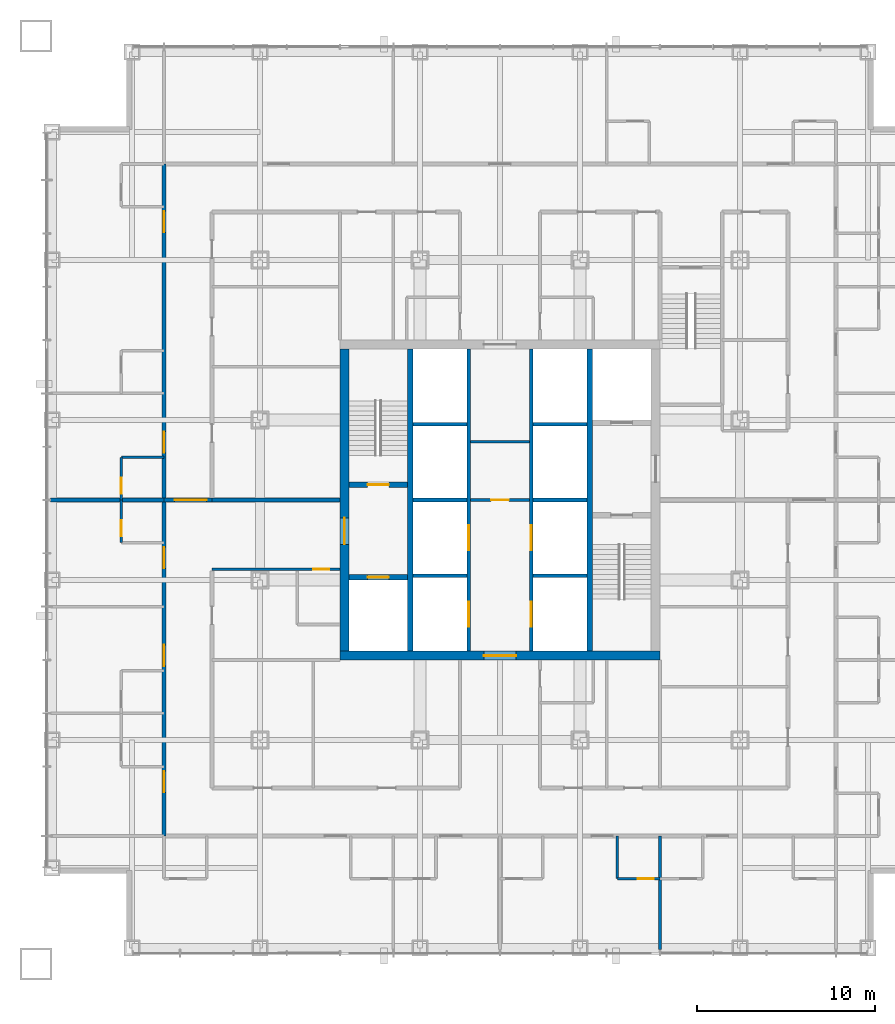
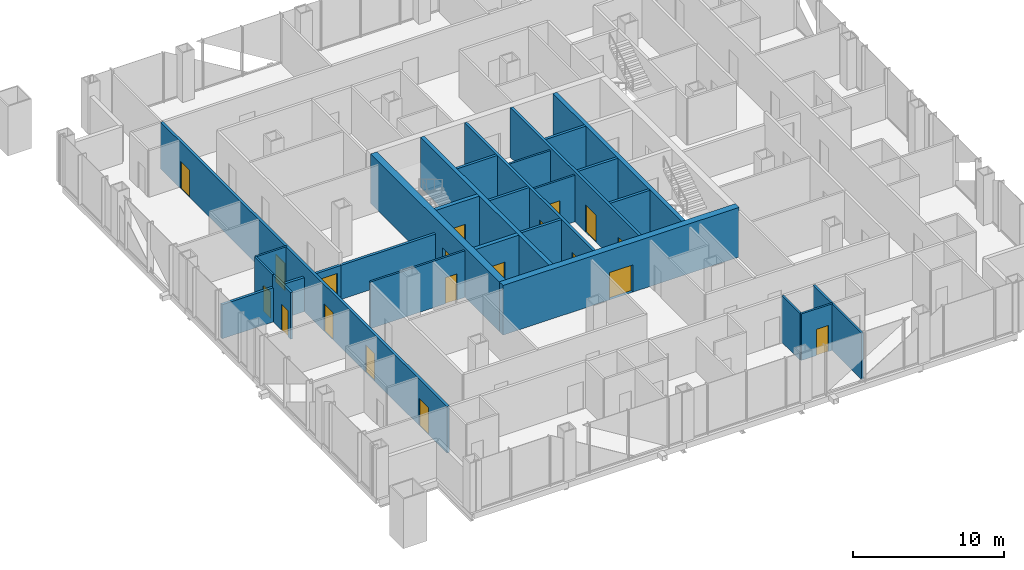
# One storey, part 8 of 17: 27 walls, 19 doors, 19 openings.
"""IFC4 building model written with IfcOpenShell, lengths in metres."""

from ifc_helpers import new_model, si_unit, direction, frame, frame_2d, origin, place, context, subcontext, project, spatial, rectangle, extrude, material, layer, layer_set, type_object, element, fill, save


model = new_model("IFC4")

# Units and contexts
model_context = context("Model", 3, precision=1e-05, world=origin(), true_north=direction((0.0, 1.0)))
body_context = subcontext(model_context, "Body", "Model", "MODEL_VIEW")
ifc_project = project(units=[si_unit("LENGTHUNIT", "METRE"), si_unit("AREAUNIT", "SQUARE_METRE"), si_unit("VOLUMEUNIT", "CUBIC_METRE"), si_unit("PLANEANGLEUNIT", "RADIAN"), si_unit("MASSUNIT", "GRAM", prefix="KILO")], contexts=[model_context])

# Site, building, storey
site_placement = place(None, origin())
site = spatial("IfcSite", under=ifc_project, at=site_placement, CompositionType="ELEMENT")
building_placement = place(site_placement, origin())
building = spatial("IfcBuilding", under=site, at=building_placement, Name="Malebo Sky Hospital", CompositionType="ELEMENT")
storey_placement = place(building_placement, frame((0.0, 0.0, 83.0)))
storey = spatial("IfcBuildingStorey", under=building, at=storey_placement, Name="L19", CompositionType="ELEMENT", Elevation=83.0)

# Wall, openings, doors
ifc_material_1 = material(Name="Concrete C80/95", Category="concrete")
ifc_layer_1 = layer(ifc_material_1, 0.199951171875)
ifc_layer_set_1 = layer_set([ifc_layer_1], Name="CORE INNER WALL 200")
wall_type_1 = type_object("IfcWallType", Name="CORE INNER WALL 200", PredefinedType="SHEAR", material=ifc_layer_set_1)
wall_1_placement = place(storey_placement, frame((58.25, 53.5, 0.0), z_axis=(0.0, 0.0, 1.0), x_axis=(0.0, 1.0, 0.0)))
wall_1 = element("IfcWall", 1, at=wall_1_placement, inside=storey, type_object=wall_type_1, Name="Core wall LW L19", PredefinedType="SHEAR", context=body_context, shape_type="SweptSolid", body=[
    extrude(rectangle(XDim=17.0, YDim=0.199951171875, at=frame_2d((8.5, 0.0))), origin(), (0.0, 0.0, 1.0), 4.0),
])
opening_1_placement = place(wall_1_placement, frame((1.375, 0.0, 0.0)))
opening_1 = element("IfcOpeningElement", 2, at=opening_1_placement, cuts=wall_1, Name="Opening LD1", PredefinedType="OPENING", context=body_context, shape_type="SweptSolid", body=[
    extrude(rectangle(XDim=1.39990234375, YDim=2.199951171875, at=frame_2d((0.699951171875, 1.10009765625))), frame((0.0, 0.10986328125, 0.0), z_axis=(0.0, -1.0, 0.0), x_axis=(1.0, 0.0, 0.0)), (0.0, 0.0, 1.0), 0.219970703125),
])
opening_2_placement = place(wall_1_placement, frame((5.675048828125, 0.0, 0.0)))
opening_2 = element("IfcOpeningElement", 3, at=opening_2_placement, cuts=wall_1, Name="Opening LD1", PredefinedType="OPENING", context=body_context, shape_type="SweptSolid", body=[
    extrude(rectangle(XDim=1.39990234375, YDim=2.199951171875, at=frame_2d((0.699951171875, 1.10009765625))), frame((0.0, 0.10986328125, 0.0), z_axis=(0.0, -1.0, 0.0), x_axis=(1.0, 0.0, 0.0)), (0.0, 0.0, 1.0), 0.219970703125),
])
ifc_material_2 = material(Name="Stainless steel sliding landing door", Category="steel")
door_type_1 = type_object("IfcDoorType", Name="LIFT LANDING DOOR 1400", OperationType="SLIDING_TO_LEFT", PredefinedType="DOOR", material=ifc_material_2)
door_1_placement = place(opening_1_placement, origin())
door_1 = element("IfcDoor", 4, at=door_1_placement, inside=storey, type_object=door_type_1, Name="Lift W1 landing door", OperationType="SLIDING_TO_LEFT", OverallHeight=2.199951171875, OverallWidth=1.39990234375, PredefinedType="DOOR", context=body_context, shape_type="SweptSolid", body=[
    extrude(rectangle(XDim=1.39990234375, YDim=2.199951171875, at=frame_2d((0.699951171875, 1.10009765625))), frame((0.0, 0.02490234375, 0.0), z_axis=(0.0, -1.0, 0.0), x_axis=(1.0, 0.0, 0.0)), (0.0, 0.0, 1.0), 0.050048828125),
])
fill(opening_1, door_1)
door_2_placement = place(opening_2_placement, origin())
door_2 = element("IfcDoor", 5, at=door_2_placement, inside=storey, type_object=door_type_1, Name="Lift W2 landing door", OperationType="SLIDING_TO_LEFT", OverallHeight=2.199951171875, OverallWidth=1.39990234375, PredefinedType="DOOR", context=body_context, shape_type="SweptSolid", body=[
    extrude(rectangle(XDim=1.39990234375, YDim=2.199951171875, at=frame_2d((0.699951171875, 1.10009765625))), frame((0.0, 0.02490234375, 0.0), z_axis=(0.0, -1.0, 0.0), x_axis=(1.0, 0.0, 0.0)), (0.0, 0.0, 1.0), 0.050048828125),
])
fill(opening_2, door_2)

wall_2_placement = place(storey_placement, frame((61.75, 53.5, 0.0), z_axis=(0.0, 0.0, 1.0), x_axis=(0.0, 1.0, 0.0)))
wall_2 = element("IfcWall", 6, at=wall_2_placement, inside=storey, type_object=wall_type_1, Name="Core wall LE L19", PredefinedType="SHEAR", context=body_context, shape_type="SweptSolid", body=[
    extrude(rectangle(XDim=17.0, YDim=0.199951171875, at=frame_2d((8.5, 0.0))), origin(), (0.0, 0.0, 1.0), 4.0),
])
opening_3_placement = place(wall_2_placement, frame((1.375, 0.0, 0.0)))
opening_3 = element("IfcOpeningElement", 7, at=opening_3_placement, cuts=wall_2, Name="Opening LD1", PredefinedType="OPENING", context=body_context, shape_type="SweptSolid", body=[
    extrude(rectangle(XDim=1.39990234375, YDim=2.199951171875, at=frame_2d((0.699951171875, 1.10009765625))), frame((0.0, 0.10986328125, 0.0), z_axis=(0.0, -1.0, 0.0), x_axis=(1.0, 0.0, 0.0)), (0.0, 0.0, 1.0), 0.219970703125),
])
opening_4_placement = place(wall_2_placement, frame((5.675048828125, 0.0, 0.0)))
opening_4 = element("IfcOpeningElement", 8, at=opening_4_placement, cuts=wall_2, Name="Opening LD1", PredefinedType="OPENING", context=body_context, shape_type="SweptSolid", body=[
    extrude(rectangle(XDim=1.39990234375, YDim=2.199951171875, at=frame_2d((0.699951171875, 1.10009765625))), frame((0.0, 0.10986328125, 0.0), z_axis=(0.0, -1.0, 0.0), x_axis=(1.0, 0.0, 0.0)), (0.0, 0.0, 1.0), 0.219970703125),
])
door_3_placement = place(opening_3_placement, origin())
door_3 = element("IfcDoor", 9, at=door_3_placement, inside=storey, type_object=door_type_1, Name="Lift E1 landing door", OperationType="SLIDING_TO_LEFT", OverallHeight=2.199951171875, OverallWidth=1.39990234375, PredefinedType="DOOR", context=body_context, shape_type="SweptSolid", body=[
    extrude(rectangle(XDim=1.39990234375, YDim=2.199951171875, at=frame_2d((0.699951171875, 1.10009765625))), frame((0.0, 0.02490234375, 0.0), z_axis=(0.0, -1.0, 0.0), x_axis=(1.0, 0.0, 0.0)), (0.0, 0.0, 1.0), 0.050048828125),
])
fill(opening_3, door_3)
door_4_placement = place(opening_4_placement, origin())
door_4 = element("IfcDoor", 10, at=door_4_placement, inside=storey, type_object=door_type_1, Name="Lift E2 landing door", OperationType="SLIDING_TO_LEFT", OverallHeight=2.199951171875, OverallWidth=1.39990234375, PredefinedType="DOOR", context=body_context, shape_type="SweptSolid", body=[
    extrude(rectangle(XDim=1.39990234375, YDim=2.199951171875, at=frame_2d((0.699951171875, 1.10009765625))), frame((0.0, 0.02490234375, 0.0), z_axis=(0.0, -1.0, 0.0), x_axis=(1.0, 0.0, 0.0)), (0.0, 0.0, 1.0), 0.050048828125),
])
fill(opening_4, door_4)

# Walls
for number, where, z_axis, x_axis, name in (
    (11, (55.10009765625, 57.75, 0.0), (0.0, 0.0, 1.0), (1.0, 0.0, 0.0), "Core wall SW0 L19"),
    (12, (61.85009765625, 57.75, 0.0), (0.0, 0.0, 1.0), (1.0, 0.0, 0.0), "Core wall SE0 L19"),
    (13, (55.10009765625, 62.0, 0.0), (0.0, 0.0, 1.0), (1.0, 0.0, 0.0), "Core wall SW1 L19"),
    (14, (61.85009765625, 62.0, 0.0), (0.0, 0.0, 1.0), (1.0, 0.0, 0.0), "Core wall SE1 L19"),
    (15, (55.10009765625, 66.25, 0.0), (0.0, 0.0, 1.0), (1.0, 0.0, 0.0), "Core wall SW2 L19"),
    (16, (61.85009765625, 66.25, 0.0), (0.0, 0.0, 1.0), (1.0, 0.0, 0.0), "Core wall SE2 L19"),
):
    element("IfcWall", number, at=place(storey_placement, frame(where, z_axis=z_axis, x_axis=x_axis)), inside=storey, type_object=wall_type_1, Name=name, PredefinedType="SHEAR", context=body_context, shape_type="SweptSolid", body=[
        extrude(rectangle(XDim=3.0498046875, YDim=0.199951171875, at=frame_2d((1.52490234375, 0.0))), origin(), (0.0, 0.0, 1.0), 4.0),
    ])
ifc_layer_2 = layer(ifc_material_1, 0.300048828125)
ifc_layer_set_2 = layer_set([ifc_layer_2], Name="CORE INNER WALL 300")
wall_type_2 = type_object("IfcWallType", Name="CORE INNER WALL 300", PredefinedType="SHEAR", material=ifc_layer_set_2)
for number, where, z_axis, x_axis, name in (
    (17, (54.949951171875, 53.5, 0.0), (0.0, 0.0, 1.0), (0.0, 1.0, 0.0), "Core wall XW L19"),
    (18, (65.050048828125, 53.5, 0.0), (0.0, 0.0, 1.0), (0.0, 1.0, 0.0), "Core wall XE L19"),
):
    element("IfcWall", number, at=place(storey_placement, frame(where, z_axis=z_axis, x_axis=x_axis)), inside=storey, type_object=wall_type_2, Name=name, PredefinedType="SHEAR", context=body_context, shape_type="SweptSolid", body=[
        extrude(rectangle(XDim=17.0, YDim=0.300048828125, at=frame_2d((8.5, 0.0))), origin(), (0.0, 0.0, 1.0), 4.0),
    ])

# Wall, opening, door
wall_3_placement = place(storey_placement, frame((51.5, 62.85009765625, 0.0), z_axis=(0.0, 0.0, 1.0), x_axis=(1.0, 0.0, 0.0)))
wall_3 = element("IfcWall", 19, at=wall_3_placement, inside=storey, type_object=wall_type_2, Name="Core wall W1 L19", PredefinedType="SHEAR", context=body_context, shape_type="SweptSolid", body=[
    extrude(rectangle(XDim=3.300048828125, YDim=0.300048828125, at=frame_2d((1.64990234375, 0.0))), origin(), (0.0, 0.0, 1.0), 4.0),
])
opening_5_placement = place(wall_3_placement, frame((1.050048828125, 0.0, 0.0)))
opening_5 = element("IfcOpeningElement", 20, at=opening_5_placement, cuts=wall_3, Name="Opening D08", PredefinedType="OPENING", context=body_context, shape_type="SweptSolid", body=[
    extrude(rectangle(XDim=1.199951171875, YDim=2.10009765625, at=frame_2d((0.60009765625, 1.050048828125))), frame((0.0, 0.159912109375, 0.0), z_axis=(0.0, -1.0, 0.0), x_axis=(1.0, 0.0, 0.0)), (0.0, 0.0, 1.0), 0.320068359375),
])
ifc_material_3 = material(Name="Hardwood-faced door leaf in steel frame", Category="steel")
door_type_2 = type_object("IfcDoorType", Name="STAIR DOOR 1200", OperationType="SINGLE_SWING_LEFT", PredefinedType="DOOR", material=ifc_material_3)
door_5_placement = place(opening_5_placement, origin())
door_5 = element("IfcDoor", 21, at=door_5_placement, inside=storey, type_object=door_type_2, Name="Stair S1 door", OperationType="SINGLE_SWING_LEFT", OverallHeight=2.10009765625, OverallWidth=1.199951171875, PredefinedType="DOOR", context=body_context, shape_type="SweptSolid", body=[
    extrude(rectangle(XDim=1.199951171875, YDim=2.10009765625, at=frame_2d((0.60009765625, 1.050048828125))), frame((0.0, 0.02490234375, 0.0), z_axis=(0.0, -1.0, 0.0), x_axis=(1.0, 0.0, 0.0)), (0.0, 0.0, 1.0), 0.050048828125),
])
fill(opening_5, door_5)

wall_4_placement = place(storey_placement, frame((51.5, 57.64990234375, 0.0), z_axis=(0.0, 0.0, 1.0), x_axis=(1.0, 0.0, 0.0)))
wall_4 = element("IfcWall", 22, at=wall_4_placement, inside=storey, type_object=wall_type_2, Name="Core wall W2 L19", PredefinedType="SHEAR", context=body_context, shape_type="SweptSolid", body=[
    extrude(rectangle(XDim=3.300048828125, YDim=0.300048828125, at=frame_2d((1.64990234375, 0.0))), origin(), (0.0, 0.0, 1.0), 4.0),
])
opening_6_placement = place(wall_4_placement, frame((1.050048828125, 0.0, 0.0)))
opening_6 = element("IfcOpeningElement", 23, at=opening_6_placement, cuts=wall_4, Name="Opening LD2", PredefinedType="OPENING", context=body_context, shape_type="SweptSolid", body=[
    extrude(rectangle(XDim=1.199951171875, YDim=2.199951171875, at=frame_2d((0.60009765625, 1.10009765625))), frame((0.0, 0.159912109375, 0.0), z_axis=(0.0, -1.0, 0.0), x_axis=(1.0, 0.0, 0.0)), (0.0, 0.0, 1.0), 0.320068359375),
])
door_type_3 = type_object("IfcDoorType", Name="FIRE-FIGHTING LIFT LANDING DOOR 1200", OperationType="SLIDING_TO_LEFT", PredefinedType="DOOR", material=ifc_material_2)
door_6_placement = place(opening_6_placement, origin())
door_6 = element("IfcDoor", 24, at=door_6_placement, inside=storey, type_object=door_type_3, Name="Lift FL1 landing door", OperationType="SLIDING_TO_LEFT", OverallHeight=2.199951171875, OverallWidth=1.199951171875, PredefinedType="DOOR", context=body_context, shape_type="SweptSolid", body=[
    extrude(rectangle(XDim=1.199951171875, YDim=2.199951171875, at=frame_2d((0.60009765625, 1.10009765625))), frame((0.0, 0.02490234375, 0.0), z_axis=(0.0, -1.0, 0.0), x_axis=(1.0, 0.0, 0.0)), (0.0, 0.0, 1.0), 0.050048828125),
])
fill(opening_6, door_6)

ifc_layer_3 = layer(ifc_material_1, 0.5)
ifc_layer_set_3 = layer_set([ifc_layer_3], Name="CORE WALL 500")
wall_type_3 = type_object("IfcWallType", Name="CORE WALL 500", PredefinedType="SHEAR", material=ifc_layer_set_3)
wall_5_placement = place(storey_placement, frame((51.0, 53.25, 0.0), z_axis=(0.0, 0.0, 1.0), x_axis=(1.0, 0.0, 0.0)))
wall_5 = element("IfcWall", 25, at=wall_5_placement, inside=storey, type_object=wall_type_3, Name="Core wall S L19", PredefinedType="SHEAR", context=body_context, shape_type="SweptSolid", body=[
    extrude(rectangle(XDim=18.0, YDim=0.5, at=frame_2d((9.0, 0.0))), origin(), (0.0, 0.0, 1.0), 4.0),
])
opening_7_placement = place(wall_5_placement, frame((8.10009765625, 0.0, 0.0)))
opening_7 = element("IfcOpeningElement", 26, at=opening_7_placement, cuts=wall_5, Name="Opening D06", PredefinedType="OPENING", context=body_context, shape_type="SweptSolid", body=[
    extrude(rectangle(XDim=1.800048828125, YDim=2.199951171875, at=frame_2d((0.89990234375, 1.10009765625))), frame((0.0, 0.260009765625, 0.0), z_axis=(0.0, -1.0, 0.0), x_axis=(1.0, 0.0, 0.0)), (0.0, 0.0, 1.0), 0.52001953125),
])
door_type_4 = type_object("IfcDoorType", Name="LOBBY DOOR PAIR 1800", OperationType="DOUBLE_DOOR_SINGLE_SWING", PredefinedType="DOOR", material=ifc_material_3)
door_7_placement = place(opening_7_placement, origin())
door_7 = element("IfcDoor", 27, at=door_7_placement, inside=storey, type_object=door_type_4, Name="Lift lobby door south", OperationType="DOUBLE_DOOR_SINGLE_SWING", OverallHeight=2.199951171875, OverallWidth=1.800048828125, PredefinedType="DOOR", context=body_context, shape_type="SweptSolid", body=[
    extrude(rectangle(XDim=1.800048828125, YDim=2.199951171875, at=frame_2d((0.89990234375, 1.10009765625))), frame((0.0, 0.02490234375, 0.0), z_axis=(0.0, -1.0, 0.0), x_axis=(1.0, 0.0, 0.0)), (0.0, 0.0, 1.0), 0.050048828125),
])
fill(opening_7, door_7)

wall_6_placement = place(storey_placement, frame((51.25, 53.5, 0.0), z_axis=(0.0, 0.0, 1.0), x_axis=(0.0, 1.0, 0.0)))
wall_6 = element("IfcWall", 28, at=wall_6_placement, inside=storey, type_object=wall_type_3, Name="Core wall W L19", PredefinedType="SHEAR", context=body_context, shape_type="SweptSolid", body=[
    extrude(rectangle(XDim=17.0, YDim=0.5, at=frame_2d((8.5, 0.0))), origin(), (0.0, 0.0, 1.0), 4.0),
])
opening_8_placement = place(wall_6_placement, frame((6.0, 0.0, 0.0)))
opening_8 = element("IfcOpeningElement", 29, at=opening_8_placement, cuts=wall_6, Name="Opening D07", PredefinedType="OPENING", context=body_context, shape_type="SweptSolid", body=[
    extrude(rectangle(XDim=1.5, YDim=2.199951171875, at=frame_2d((0.75, 1.10009765625))), frame((0.0, 0.260009765625, 0.0), z_axis=(0.0, -1.0, 0.0), x_axis=(1.0, 0.0, 0.0)), (0.0, 0.0, 1.0), 0.52001953125),
])
door_type_5 = type_object("IfcDoorType", Name="FIRE-FIGHTING LOBBY DOOR PAIR 1500", OperationType="DOUBLE_DOOR_SINGLE_SWING", PredefinedType="DOOR", material=ifc_material_3)
door_8_placement = place(opening_8_placement, origin())
door_8 = element("IfcDoor", 30, at=door_8_placement, inside=storey, type_object=door_type_5, Name="Fire-fighting lobby door west", OperationType="DOUBLE_DOOR_SINGLE_SWING", OverallHeight=2.199951171875, OverallWidth=1.5, PredefinedType="DOOR", context=body_context, shape_type="SweptSolid", body=[
    extrude(rectangle(XDim=1.5, YDim=2.199951171875, at=frame_2d((0.75, 1.10009765625))), frame((0.0, 0.02490234375, 0.0), z_axis=(0.0, -1.0, 0.0), x_axis=(1.0, 0.0, 0.0)), (0.0, 0.0, 1.0), 0.050048828125),
])
fill(opening_8, door_8)

# Wall, openings, doors
ifc_material_4 = material(Name="Gypsum board on steel studs", Category="steel")
ifc_layer_4 = layer(ifc_material_4, 0.199951171875)
ifc_layer_set_4 = layer_set([ifc_layer_4], Name="CORRIDOR WALL 200")
wall_type_4 = type_object("IfcWallType", Name="CORRIDOR WALL 200", PredefinedType="PARTITIONING", material=ifc_layer_set_4)
wall_7_placement = place(storey_placement, frame((41.10009765625, 43.10009765625, 0.0), z_axis=(0.0, 0.0, 1.0), x_axis=(0.0, 1.0, 0.0)))
wall_7 = element("IfcWall", 31, at=wall_7_placement, inside=storey, type_object=wall_type_4, Name="Corridor Wall 200 WCO", PredefinedType="PARTITIONING", context=body_context, shape_type="SweptSolid", body=[
    extrude(rectangle(XDim=37.7998046875, YDim=0.199951171875, at=frame_2d((18.89990234375, 0.0))), origin(), (0.0, 0.0, 1.0), 3.75),
])
opening_9_placement = place(wall_7_placement, frame((2.449951171875, 0.0, 0.0)))
opening_9 = element("IfcOpeningElement", 32, at=opening_9_placement, cuts=wall_7, Name="Opening D01", PredefinedType="OPENING", context=body_context, shape_type="SweptSolid", body=[
    extrude(rectangle(XDim=1.199951171875, YDim=2.199951171875, at=frame_2d((0.60009765625, 1.10009765625))), frame((0.0, 0.10986328125, 0.0), z_axis=(0.0, -1.0, 0.0), x_axis=(1.0, 0.0, 0.0)), (0.0, 0.0, 1.0), 0.219970703125),
])
opening_10_placement = place(wall_7_placement, frame((9.550048828125, 0.0, 0.0)))
opening_10 = element("IfcOpeningElement", 33, at=opening_10_placement, cuts=wall_7, Name="Opening D01", PredefinedType="OPENING", context=body_context, shape_type="SweptSolid", body=[
    extrude(rectangle(XDim=1.199951171875, YDim=2.199951171875, at=frame_2d((0.60009765625, 1.10009765625))), frame((0.0, 0.10986328125, 0.0), z_axis=(0.0, -1.0, 0.0), x_axis=(1.0, 0.0, 0.0)), (0.0, 0.0, 1.0), 0.219970703125),
])
opening_11_placement = place(wall_7_placement, frame((15.050048828125, 0.0, 0.0)))
opening_11 = element("IfcOpeningElement", 34, at=opening_11_placement, cuts=wall_7, Name="Opening D01", PredefinedType="OPENING", context=body_context, shape_type="SweptSolid", body=[
    extrude(rectangle(XDim=1.199951171875, YDim=2.199951171875, at=frame_2d((0.60009765625, 1.10009765625))), frame((0.0, 0.10986328125, 0.0), z_axis=(0.0, -1.0, 0.0), x_axis=(1.0, 0.0, 0.0)), (0.0, 0.0, 1.0), 0.219970703125),
])
opening_12_placement = place(wall_7_placement, frame((21.550048828125, 0.0, 0.0)))
opening_12 = element("IfcOpeningElement", 35, at=opening_12_placement, cuts=wall_7, Name="Opening D01", PredefinedType="OPENING", context=body_context, shape_type="SweptSolid", body=[
    extrude(rectangle(XDim=1.199951171875, YDim=2.199951171875, at=frame_2d((0.60009765625, 1.10009765625))), frame((0.0, 0.10986328125, 0.0), z_axis=(0.0, -1.0, 0.0), x_axis=(1.0, 0.0, 0.0)), (0.0, 0.0, 1.0), 0.219970703125),
])
opening_13_placement = place(wall_7_placement, frame((33.949951171875, 0.0, 0.0)))
opening_13 = element("IfcOpeningElement", 36, at=opening_13_placement, cuts=wall_7, Name="Opening D01", PredefinedType="OPENING", context=body_context, shape_type="SweptSolid", body=[
    extrude(rectangle(XDim=1.199951171875, YDim=2.199951171875, at=frame_2d((0.60009765625, 1.10009765625))), frame((0.0, 0.10986328125, 0.0), z_axis=(0.0, -1.0, 0.0), x_axis=(1.0, 0.0, 0.0)), (0.0, 0.0, 1.0), 0.219970703125),
])
door_type_6 = type_object("IfcDoorType", Name="BED DOOR 1200", OperationType="SINGLE_SWING_LEFT", PredefinedType="DOOR", material=ifc_material_3)
door_9_placement = place(opening_9_placement, origin())
door_9 = element("IfcDoor", 37, at=door_9_placement, inside=storey, type_object=door_type_6, Name="Single bed room door", OperationType="SINGLE_SWING_RIGHT", OverallHeight=2.199951171875, OverallWidth=1.199951171875, PredefinedType="DOOR", context=body_context, shape_type="SweptSolid", body=[
    extrude(rectangle(XDim=1.199951171875, YDim=2.199951171875, at=frame_2d((0.60009765625, 1.10009765625))), frame((0.0, 0.02490234375, 0.0), z_axis=(0.0, -1.0, 0.0), x_axis=(1.0, 0.0, 0.0)), (0.0, 0.0, 1.0), 0.050048828125),
])
fill(opening_9, door_9)
door_10_placement = place(opening_10_placement, origin())
door_10 = element("IfcDoor", 38, at=door_10_placement, inside=storey, type_object=door_type_6, Name="Single bed room door", OperationType="SINGLE_SWING_LEFT", OverallHeight=2.199951171875, OverallWidth=1.199951171875, PredefinedType="DOOR", context=body_context, shape_type="SweptSolid", body=[
    extrude(rectangle(XDim=1.199951171875, YDim=2.199951171875, at=frame_2d((0.60009765625, 1.10009765625))), frame((0.0, 0.02490234375, 0.0), z_axis=(0.0, -1.0, 0.0), x_axis=(1.0, 0.0, 0.0)), (0.0, 0.0, 1.0), 0.050048828125),
])
fill(opening_10, door_10)
door_11_placement = place(opening_11_placement, origin())
door_11 = element("IfcDoor", 39, at=door_11_placement, inside=storey, type_object=door_type_6, Name="Single bed room door", OperationType="SINGLE_SWING_RIGHT", OverallHeight=2.199951171875, OverallWidth=1.199951171875, PredefinedType="DOOR", context=body_context, shape_type="SweptSolid", body=[
    extrude(rectangle(XDim=1.199951171875, YDim=2.199951171875, at=frame_2d((0.60009765625, 1.10009765625))), frame((0.0, 0.02490234375, 0.0), z_axis=(0.0, -1.0, 0.0), x_axis=(1.0, 0.0, 0.0)), (0.0, 0.0, 1.0), 0.050048828125),
])
fill(opening_11, door_11)
door_12_placement = place(opening_12_placement, origin())
door_12 = element("IfcDoor", 40, at=door_12_placement, inside=storey, type_object=door_type_6, Name="Single bed room door", OperationType="SINGLE_SWING_LEFT", OverallHeight=2.199951171875, OverallWidth=1.199951171875, PredefinedType="DOOR", context=body_context, shape_type="SweptSolid", body=[
    extrude(rectangle(XDim=1.199951171875, YDim=2.199951171875, at=frame_2d((0.60009765625, 1.10009765625))), frame((0.0, 0.02490234375, 0.0), z_axis=(0.0, -1.0, 0.0), x_axis=(1.0, 0.0, 0.0)), (0.0, 0.0, 1.0), 0.050048828125),
])
fill(opening_12, door_12)
door_13_placement = place(opening_13_placement, origin())
door_13 = element("IfcDoor", 41, at=door_13_placement, inside=storey, type_object=door_type_6, Name="Four-bed bay door", OperationType="SINGLE_SWING_RIGHT", OverallHeight=2.199951171875, OverallWidth=1.199951171875, PredefinedType="DOOR", context=body_context, shape_type="SweptSolid", body=[
    extrude(rectangle(XDim=1.199951171875, YDim=2.199951171875, at=frame_2d((0.60009765625, 1.10009765625))), frame((0.0, 0.02490234375, 0.0), z_axis=(0.0, -1.0, 0.0), x_axis=(1.0, 0.0, 0.0)), (0.0, 0.0, 1.0), 0.050048828125),
])
fill(opening_13, door_13)

# Wall, opening, door
ifc_layer_5 = layer(ifc_material_4, 0.14990234375)
ifc_layer_set_5 = layer_set([ifc_layer_5], Name="PARTITION 150")
wall_type_5 = type_object("IfcWallType", Name="PARTITION 150", PredefinedType="PARTITIONING", material=ifc_layer_set_5)
wall_8_placement = place(storey_placement, frame((38.699951171875, 59.60009765625, 0.0), z_axis=(0.0, 0.0, 1.0), x_axis=(0.0, 1.0, 0.0)))
wall_8 = element("IfcWall", 42, at=wall_8_placement, inside=storey, type_object=wall_type_5, Name="Partition 150 WE2F", PredefinedType="PARTITIONING", context=body_context, shape_type="SweptSolid", body=[
    extrude(rectangle(XDim=2.39990234375, YDim=0.14990234375, at=frame_2d((1.199951171875, 0.0))), origin(), (0.0, 0.0, 1.0), 3.75),
])
opening_14_placement = place(wall_8_placement, frame((0.35009765625, 0.0, 0.0)))
opening_14 = element("IfcOpeningElement", 43, at=opening_14_placement, cuts=wall_8, Name="Opening D02", PredefinedType="OPENING", context=body_context, shape_type="SweptSolid", body=[
    extrude(rectangle(XDim=0.89990234375, YDim=2.10009765625, at=frame_2d((0.449951171875, 1.050048828125))), frame((0.0, 0.0849609375, 0.0), z_axis=(0.0, -1.0, 0.0), x_axis=(1.0, 0.0, 0.0)), (0.0, 0.0, 1.0), 0.169921875),
])
door_type_7 = type_object("IfcDoorType", Name="EN-SUITE DOOR 900", OperationType="SINGLE_SWING_LEFT", PredefinedType="DOOR", material=ifc_material_3)
door_14_placement = place(opening_14_placement, origin())
door_14 = element("IfcDoor", 44, at=door_14_placement, inside=storey, type_object=door_type_7, Name="En-suite door", OperationType="SINGLE_SWING_LEFT", OverallHeight=2.10009765625, OverallWidth=0.89990234375, PredefinedType="DOOR", context=body_context, shape_type="SweptSolid", body=[
    extrude(rectangle(XDim=0.89990234375, YDim=2.10009765625, at=frame_2d((0.449951171875, 1.050048828125))), frame((0.0, 0.02490234375, 0.0), z_axis=(0.0, -1.0, 0.0), x_axis=(1.0, 0.0, 0.0)), (0.0, 0.0, 1.0), 0.050048828125),
])
fill(opening_14, door_14)

wall_9_placement = place(storey_placement, frame((38.699951171875, 62.0, 0.0), z_axis=(0.0, 0.0, 1.0), x_axis=(0.0, 1.0, 0.0)))
wall_9 = element("IfcWall", 45, at=wall_9_placement, inside=storey, type_object=wall_type_5, Name="Partition 150 WE3F", PredefinedType="PARTITIONING", context=body_context, shape_type="SweptSolid", body=[
    extrude(rectangle(XDim=2.39990234375, YDim=0.14990234375, at=frame_2d((1.199951171875, 0.0))), origin(), (0.0, 0.0, 1.0), 3.75),
])
opening_15_placement = place(wall_9_placement, frame((0.35009765625, 0.0, 0.0)))
opening_15 = element("IfcOpeningElement", 46, at=opening_15_placement, cuts=wall_9, Name="Opening D02", PredefinedType="OPENING", context=body_context, shape_type="SweptSolid", body=[
    extrude(rectangle(XDim=0.89990234375, YDim=2.10009765625, at=frame_2d((0.449951171875, 1.050048828125))), frame((0.0, 0.0849609375, 0.0), z_axis=(0.0, -1.0, 0.0), x_axis=(1.0, 0.0, 0.0)), (0.0, 0.0, 1.0), 0.169921875),
])
door_15_placement = place(opening_15_placement, origin())
door_15 = element("IfcDoor", 47, at=door_15_placement, inside=storey, type_object=door_type_7, Name="En-suite door", OperationType="SINGLE_SWING_LEFT", OverallHeight=2.10009765625, OverallWidth=0.89990234375, PredefinedType="DOOR", context=body_context, shape_type="SweptSolid", body=[
    extrude(rectangle(XDim=0.89990234375, YDim=2.10009765625, at=frame_2d((0.449951171875, 1.050048828125))), frame((0.0, 0.02490234375, 0.0), z_axis=(0.0, -1.0, 0.0), x_axis=(1.0, 0.0, 0.0)), (0.0, 0.0, 1.0), 0.050048828125),
])
fill(opening_15, door_15)

# Wall
wall_10_placement = place(storey_placement, frame((41.10009765625, 64.39990234375, 0.0), z_axis=(0.0, 0.0, 1.0), x_axis=(-1.0, 0.0, 0.0)))
element("IfcWall", 48, at=wall_10_placement, inside=storey, type_object=wall_type_5, Name="Partition 150 WE3S", PredefinedType="PARTITIONING", context=body_context, shape_type="SweptSolid", body=[
    extrude(rectangle(XDim=2.400146484375, YDim=0.14990234375, at=frame_2d((1.2001953125, 0.0))), origin(), (0.0, 0.0, 1.0), 3.75),
])

# Wall, opening, door
wall_11_placement = place(storey_placement, frame((51.0, 58.10009765625, 0.0), z_axis=(0.0, 0.0, 1.0), x_axis=(-1.0, 0.0, 0.0)))
wall_11 = element("IfcWall", 49, at=wall_11_placement, inside=storey, type_object=wall_type_5, Name="Partition 150 WSPA", PredefinedType="PARTITIONING", context=body_context, shape_type="SweptSolid", body=[
    extrude(rectangle(XDim=7.199951171875, YDim=0.14990234375, at=frame_2d((3.60009765625, 0.0))), origin(), (0.0, 0.0, 1.0), 3.75),
])
opening_16_placement = place(wall_11_placement, frame((0.60009765625, 0.0, 0.0)))
opening_16 = element("IfcOpeningElement", 50, at=opening_16_placement, cuts=wall_11, Name="Opening D04", PredefinedType="OPENING", context=body_context, shape_type="SweptSolid", body=[
    extrude(rectangle(XDim=0.89990234375, YDim=2.10009765625, at=frame_2d((0.449951171875, 1.050048828125))), frame((0.0, 0.0849609375, 0.0), z_axis=(0.0, -1.0, 0.0), x_axis=(1.0, 0.0, 0.0)), (0.0, 0.0, 1.0), 0.169921875),
])
door_type_8 = type_object("IfcDoorType", Name="ROOM DOOR 900", OperationType="SINGLE_SWING_LEFT", PredefinedType="DOOR", material=ifc_material_3)
door_16_placement = place(opening_16_placement, origin())
door_16 = element("IfcDoor", 51, at=door_16_placement, inside=storey, type_object=door_type_8, Name="Cleaner's room door", OperationType="SINGLE_SWING_LEFT", OverallHeight=2.10009765625, OverallWidth=0.89990234375, PredefinedType="DOOR", context=body_context, shape_type="SweptSolid", body=[
    extrude(rectangle(XDim=0.89990234375, YDim=2.10009765625, at=frame_2d((0.449951171875, 1.050048828125))), frame((0.0, 0.02490234375, 0.0), z_axis=(0.0, -1.0, 0.0), x_axis=(1.0, 0.0, 0.0)), (0.0, 0.0, 1.0), 0.050048828125),
])
fill(opening_16, door_16)

# Wall
wall_12_placement = place(storey_placement, frame((69.0, 43.10009765625, 0.0), z_axis=(0.0, 0.0, 1.0), x_axis=(0.0, -1.0, 0.0)))
element("IfcWall", 52, at=wall_12_placement, inside=storey, type_object=wall_type_5, Name="Partition 150 SP-9.0", PredefinedType="PARTITIONING", context=body_context, shape_type="SweptSolid", body=[
    extrude(rectangle(XDim=6.375, YDim=0.14990234375, at=frame_2d((3.1875, 0.0))), origin(), (0.0, 0.0, 1.0), 3.75),
])

# Wall, opening, door
wall_13_placement = place(storey_placement, frame((69.0, 40.699951171875, 0.0), z_axis=(0.0, 0.0, 1.0), x_axis=(-1.0, 0.0, 0.0)))
wall_13 = element("IfcWall", 53, at=wall_13_placement, inside=storey, type_object=wall_type_5, Name="Partition 150 SE1F", PredefinedType="PARTITIONING", context=body_context, shape_type="SweptSolid", body=[
    extrude(rectangle(XDim=2.39990234375, YDim=0.14990234375, at=frame_2d((1.199951171875, 0.0))), origin(), (0.0, 0.0, 1.0), 3.75),
])
opening_17_placement = place(wall_13_placement, frame((0.35009765625, 0.0, 0.0)))
opening_17 = element("IfcOpeningElement", 54, at=opening_17_placement, cuts=wall_13, Name="Opening D02", PredefinedType="OPENING", context=body_context, shape_type="SweptSolid", body=[
    extrude(rectangle(XDim=0.89990234375, YDim=2.10009765625, at=frame_2d((0.449951171875, 1.050048828125))), frame((0.0, 0.0849609375, 0.0), z_axis=(0.0, -1.0, 0.0), x_axis=(1.0, 0.0, 0.0)), (0.0, 0.0, 1.0), 0.169921875),
])
door_17_placement = place(opening_17_placement, origin())
door_17 = element("IfcDoor", 55, at=door_17_placement, inside=storey, type_object=door_type_7, Name="En-suite door", OperationType="SINGLE_SWING_LEFT", OverallHeight=2.10009765625, OverallWidth=0.89990234375, PredefinedType="DOOR", context=body_context, shape_type="SweptSolid", body=[
    extrude(rectangle(XDim=0.89990234375, YDim=2.10009765625, at=frame_2d((0.449951171875, 1.050048828125))), frame((0.0, 0.02490234375, 0.0), z_axis=(0.0, -1.0, 0.0), x_axis=(1.0, 0.0, 0.0)), (0.0, 0.0, 1.0), 0.050048828125),
])
fill(opening_17, door_17)

# Wall
wall_14_placement = place(storey_placement, frame((66.60009765625, 43.10009765625, 0.0), z_axis=(0.0, 0.0, 1.0), x_axis=(0.0, -1.0, 0.0)))
element("IfcWall", 56, at=wall_14_placement, inside=storey, type_object=wall_type_5, Name="Partition 150 SE1S", PredefinedType="PARTITIONING", context=body_context, shape_type="SweptSolid", body=[
    extrude(rectangle(XDim=2.400146484375, YDim=0.14990234375, at=frame_2d((1.2001953125, 0.0))), origin(), (0.0, 0.0, 1.0), 3.75),
])

# Wall, opening, door
wall_15_placement = place(storey_placement, frame((58.35009765625, 62.0, 0.0), z_axis=(0.0, 0.0, 1.0), x_axis=(1.0, 0.0, 0.0)))
wall_15 = element("IfcWall", 57, at=wall_15_placement, inside=storey, type_object=wall_type_5, Name="Partition 150 LBN", PredefinedType="PARTITIONING", context=body_context, shape_type="SweptSolid", body=[
    extrude(rectangle(XDim=3.2998046875, YDim=0.14990234375, at=frame_2d((1.64990234375, 0.0))), origin(), (0.0, 0.0, 1.0), 3.75),
])
opening_18_placement = place(wall_15_placement, frame((1.14990234375, 0.0, 0.0)))
opening_18 = element("IfcOpeningElement", 58, at=opening_18_placement, cuts=wall_15, Name="Opening D03", PredefinedType="OPENING", context=body_context, shape_type="SweptSolid", body=[
    extrude(rectangle(XDim=1.0, YDim=2.10009765625, at=frame_2d((0.5, 1.050048828125))), frame((0.0, 0.0849609375, 0.0), z_axis=(0.0, -1.0, 0.0), x_axis=(1.0, 0.0, 0.0)), (0.0, 0.0, 1.0), 0.169921875),
])
door_type_9 = type_object("IfcDoorType", Name="ROOM DOOR 1000", OperationType="SINGLE_SWING_LEFT", PredefinedType="DOOR", material=ifc_material_3)
door_18_placement = place(opening_18_placement, origin())
door_18 = element("IfcDoor", 59, at=door_18_placement, inside=storey, type_object=door_type_9, Name="Equipment store door", OperationType="SINGLE_SWING_LEFT", OverallHeight=2.10009765625, OverallWidth=1.0, PredefinedType="DOOR", context=body_context, shape_type="SweptSolid", body=[
    extrude(rectangle(XDim=1.0, YDim=2.10009765625, at=frame_2d((0.5, 1.050048828125))), frame((0.0, 0.02490234375, 0.0), z_axis=(0.0, -1.0, 0.0), x_axis=(1.0, 0.0, 0.0)), (0.0, 0.0, 1.0), 0.050048828125),
])
fill(opening_18, door_18)

# Walls
wall_16_placement = place(storey_placement, frame((58.35009765625, 65.276611328125, 0.0), z_axis=(0.0, 0.0, 1.0), x_axis=(1.0, 0.0, 0.0)))
element("IfcWall", 60, at=wall_16_placement, inside=storey, type_object=wall_type_5, Name="Partition 150 LBN1", PredefinedType="PARTITIONING", context=body_context, shape_type="SweptSolid", body=[
    extrude(rectangle(XDim=3.2998046875, YDim=0.14990234375, at=frame_2d((1.64990234375, 0.0))), origin(), (0.0, 0.0, 1.0), 3.75),
])
ifc_material_5 = material(Name="Concrete blockwork", Category="masonry")
ifc_layer_6 = layer(ifc_material_5, 0.199951171875)
ifc_layer_set_6 = layer_set([ifc_layer_6], Name="SMOKE BARRIER WALL 200")
wall_type_6 = type_object("IfcWallType", Name="SMOKE BARRIER WALL 200", PredefinedType="SOLIDWALL", material=ifc_layer_set_6)
wall_17_placement = place(storey_placement, frame((41.10009765625, 62.0, 0.0), z_axis=(0.0, 0.0, 1.0), x_axis=(-1.0, 0.0, 0.0)))
element("IfcWall", 61, at=wall_17_placement, inside=storey, type_object=wall_type_6, Name="Smoke Barrier Wall 200 WP+0.0", PredefinedType="SOLIDWALL", context=body_context, shape_type="SweptSolid", body=[
    extrude(rectangle(XDim=6.375, YDim=0.199951171875, at=frame_2d((3.1875, 0.0))), origin(), (0.0, 0.0, 1.0), 2.75),
])
wall_18_placement = place(storey_placement, frame((51.0, 62.0, 0.0), z_axis=(0.0, 0.0, 1.0), x_axis=(-1.0, 0.0, 0.0)))
element("IfcWall", 62, at=wall_18_placement, inside=storey, type_object=wall_type_6, Name="Smoke Barrier Wall 200 WSPB", PredefinedType="SOLIDWALL", context=body_context, shape_type="SweptSolid", body=[
    extrude(rectangle(XDim=7.199951171875, YDim=0.199951171875, at=frame_2d((3.60009765625, 0.0))), origin(), (0.0, 0.0, 1.0), 2.75),
])

# Wall, opening, door
wall_19_placement = place(storey_placement, frame((43.800048828125, 62.0, 0.0), z_axis=(0.0, 0.0, 1.0), x_axis=(-1.0, 0.0, 0.0)))
wall_19 = element("IfcWall", 63, at=wall_19_placement, inside=storey, type_object=wall_type_6, Name="Smoke Barrier Wall 200 WSB", PredefinedType="SOLIDWALL", context=body_context, shape_type="SweptSolid", body=[
    extrude(rectangle(XDim=2.699951171875, YDim=0.199951171875, at=frame_2d((1.35009765625, 0.0))), origin(), (0.0, 0.0, 1.0), 2.75),
])
opening_19_placement = place(wall_19_placement, frame((0.300048828125, 0.0, 0.0)))
opening_19 = element("IfcOpeningElement", 64, at=opening_19_placement, cuts=wall_19, Name="Opening D05", PredefinedType="OPENING", context=body_context, shape_type="SweptSolid", body=[
    extrude(rectangle(XDim=1.800048828125, YDim=2.199951171875, at=frame_2d((0.89990234375, 1.10009765625))), frame((0.0, 0.10986328125, 0.0), z_axis=(0.0, -1.0, 0.0), x_axis=(1.0, 0.0, 0.0)), (0.0, 0.0, 1.0), 0.219970703125),
])
door_type_10 = type_object("IfcDoorType", Name="SMOKE DOOR PAIR 1800", OperationType="DOUBLE_DOOR_DOUBLE_SWING", PredefinedType="DOOR", material=ifc_material_3)
door_19_placement = place(opening_19_placement, origin())
door_19 = element("IfcDoor", 65, at=door_19_placement, inside=storey, type_object=door_type_10, Name="Smoke compartment door pair", OperationType="DOUBLE_DOOR_DOUBLE_SWING", OverallHeight=2.199951171875, OverallWidth=1.800048828125, PredefinedType="DOOR", context=body_context, shape_type="SweptSolid", body=[
    extrude(rectangle(XDim=1.800048828125, YDim=2.199951171875, at=frame_2d((0.89990234375, 1.10009765625))), frame((0.0, 0.02490234375, 0.0), z_axis=(0.0, -1.0, 0.0), x_axis=(1.0, 0.0, 0.0)), (0.0, 0.0, 1.0), 0.050048828125),
])
fill(opening_19, door_19)

save(model, "model.ifc")
